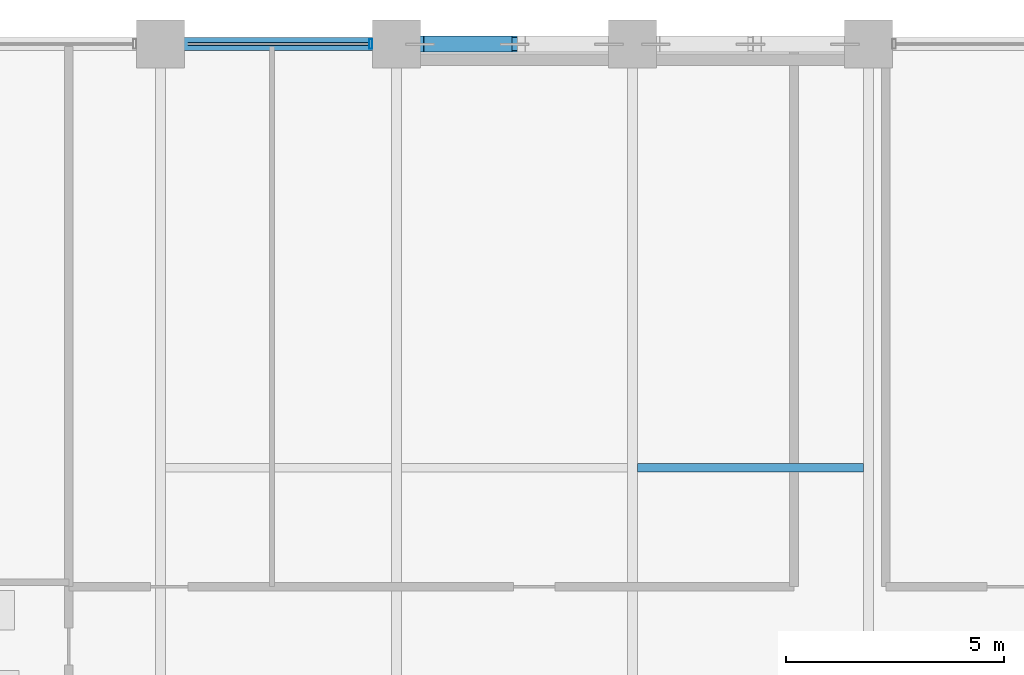
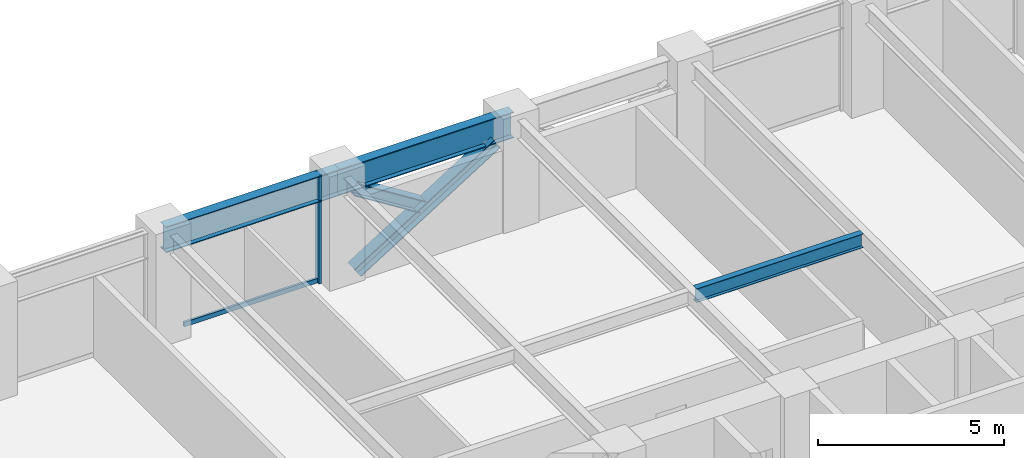
# One storey, part 14 of 26: 4 members, 3 beams, 1 element without a shape of its own.
"""IFC4 building model written with IfcOpenShell, lengths in metres."""

from ifc_helpers import new_model, si_unit, direction, frame, origin, origin_2d, place, context, subcontext, project, spatial, hollow_rectangle, i_section, extrude, material, layer, layer_set, material_profile, profile_set, type_object, element, aggregate, save


model = new_model("IFC4")

# Units and contexts
model_context = context("Model", 3, precision=1e-05, world=origin(), true_north=direction((0.0, 1.0)))
body_context = subcontext(model_context, "Body", "Model", "MODEL_VIEW")
ifc_project = project(units=[si_unit("LENGTHUNIT", "METRE"), si_unit("AREAUNIT", "SQUARE_METRE"), si_unit("VOLUMEUNIT", "CUBIC_METRE"), si_unit("PLANEANGLEUNIT", "RADIAN"), si_unit("MASSUNIT", "GRAM", prefix="KILO")], contexts=[model_context])

# Site, building, storey
site_placement = place(None, origin())
site = spatial("IfcSite", under=ifc_project, at=site_placement, CompositionType="ELEMENT")
building_placement = place(site_placement, origin())
building = spatial("IfcBuilding", under=site, at=building_placement, Name="Surkhivell Harbour Commons", CompositionType="ELEMENT")
storey_placement = place(building_placement, frame((0.0, 0.0, 102.0)))
storey = spatial("IfcBuildingStorey", under=building, at=storey_placement, Name="L26", CompositionType="ELEMENT", Elevation=102.0)

# Beams
ifc_material_1 = material(Name="Steel S355", Category="steel")
ifc_material_profile_1 = material_profile(ifc_material_1, i_section(OverallWidth=0.18994140625, OverallDepth=0.45703125, WebThickness=0.009033203125, FlangeThickness=0.014404296875, at=origin_2d()), Name="UB457x191x74")
ifc_profile_set_1 = profile_set([ifc_material_profile_1], Name="Steel S355")
beam_type_1 = type_object("IfcBeamType", Name="BM-JST-457B", PredefinedType="JOIST", material=ifc_profile_set_1)
beam_1_placement = place(storey_placement, frame((0.113037109375, 16.199951171875, 3.341552734375), z_axis=(1.0, 0.0, 0.0), x_axis=(0.0, 1.0, 0.0)))
element("IfcBeam", 1, at=beam_1_placement, inside=storey, type_object=beam_type_1, Name="L26 North Composite Joist (0.0)", PredefinedType="JOIST", context=body_context, shape_type="SweptSolid", body=[
    extrude(i_section(OverallWidth=0.18994140625, OverallDepth=0.45703125, WebThickness=0.009033203125, FlangeThickness=0.014404296875, at=origin_2d()), origin(), (0.0, 0.0, 1.0), 5.174072265625),
])
ifc_material_2 = material(Name="Steel S460", Category="steel")
ifc_material_profile_2 = material_profile(ifc_material_2, i_section(OverallWidth=0.2939453125, OverallDepth=0.85107421875, WebThickness=0.01611328125, FlangeThickness=0.02685546875, at=origin_2d()), Name="UB838x292x226")
ifc_profile_set_2 = profile_set([ifc_material_profile_2], Name="Steel S460")
beam_type_2 = type_object("IfcBeamType", Name="BM-SPN-838", PredefinedType="SPANDREL", material=ifc_profile_set_2)
beam_2_placement = place(storey_placement, frame((-10.800048828125, 25.89990234375, 3.14453125), z_axis=(1.0, 0.0, 0.0), x_axis=(0.0, 1.0, 0.0)))
element("IfcBeam", 2, at=beam_2_placement, inside=storey, type_object=beam_type_2, Name="L26 Tube Spandrel (-10.8,25.9)", PredefinedType="SPANDREL", context=body_context, shape_type="SweptSolid", body=[
    extrude(i_section(OverallWidth=0.2939453125, OverallDepth=0.85107421875, WebThickness=0.01611328125, FlangeThickness=0.02685546875, at=origin_2d()), origin(), (0.0, 0.0, 1.0), 5.400146484375),
])
beam_3_placement = place(storey_placement, frame((-5.39990234375, 25.89990234375, 3.14453125), z_axis=(1.0, 0.0, 0.0), x_axis=(0.0, 1.0, 0.0)))
element("IfcBeam", 3, at=beam_3_placement, inside=storey, type_object=beam_type_2, Name="L26 Tube Spandrel (-5.4,25.9)", PredefinedType="SPANDREL", context=body_context, shape_type="SweptSolid", body=[
    extrude(i_section(OverallWidth=0.2939453125, OverallDepth=0.85107421875, WebThickness=0.01611328125, FlangeThickness=0.02685546875, at=origin_2d()), origin(), (0.0, 0.0, 1.0), 5.39990234375),
])

# Curtain wall, members
ifc_material_3 = material(Name="Anodised pale-metal aluminium and insulated glazing", Category="aluminium")
ifc_layer = layer(ifc_material_3, 0.205078125)
ifc_layer_set = layer_set([ifc_layer], Name="Anodised pale-metal aluminium and insulated glazing")
curtain_wall_type = type_object("IfcCurtainWallType", Name="CW-SYS-Z2", PredefinedType="NOTDEFINED", material=ifc_layer_set)
curtain_wall_placement = place(storey_placement, origin())
curtain_wall = element("IfcCurtainWall", 4, at=curtain_wall_placement, inside=storey, type_object=curtain_wall_type, Name="L26 Curtain Wall CW-L26-E07S2", PredefinedType="NOTDEFINED")
ifc_material_4 = material(Name="Anodised pale-metal aluminium alloy 6063-T6", Category="aluminium")
ifc_material_profile_3 = material_profile(ifc_material_4, hollow_rectangle(XDim=0.074951171875, YDim=0.219970703125, WallThickness=0.00390625, at=origin_2d()), Name="ALU-MULL-75x220")
ifc_profile_set_3 = profile_set([ifc_material_profile_3], Name="Anodised pale-metal aluminium alloy 6063-T6")
member_type_1 = type_object("IfcMemberType", Name="CWM-220", PredefinedType="MULLION", material=ifc_profile_set_3)
member_1_placement = place(storey_placement, frame((-5.989501953125, 25.89990234375, 0.0), z_axis=(0.0, 0.0, 1.0), x_axis=(-1.0, 0.0, 0.0)))
member_1 = element("IfcMember", 5, at=member_1_placement, type_object=member_type_1, Name="CW-Z2 mullion 1", PredefinedType="MULLION", context=body_context, shape_type="SweptSolid", body=[
    extrude(hollow_rectangle(XDim=0.074951171875, YDim=0.219970703125, WallThickness=0.00390625, at=origin_2d()), origin(), (0.0, 0.0, 1.0), 3.570068359375),
])
ifc_material_profile_4 = material_profile(ifc_material_4, hollow_rectangle(XDim=0.074951171875, YDim=0.14990234375, WallThickness=0.00341796875, at=origin_2d()), Name="ALU-TRAN-75x150")
ifc_profile_set_4 = profile_set([ifc_material_profile_4], Name="Anodised pale-metal aluminium alloy 6063-T6")
member_type_2 = type_object("IfcMemberType", Name="CWT-150", PredefinedType="USERDEFINED", material=ifc_profile_set_4)
member_2_placement = place(storey_placement, frame((-6.027099609375, 25.89990234375, 0.074951171875), z_axis=(-1.0, 0.0, 0.0), x_axis=(0.0, -1.0, 0.0)))
member_2 = element("IfcMember", 6, at=member_2_placement, type_object=member_type_2, Name="CW-Z2 transom 1.1", ObjectType="TRANSOM", PredefinedType="USERDEFINED", context=body_context, shape_type="SweptSolid", body=[
    extrude(hollow_rectangle(XDim=0.074951171875, YDim=0.14990234375, WallThickness=0.00341796875, at=origin_2d()), origin(), (0.0, 0.0, 1.0), 4.14599609375),
])
aggregate(curtain_wall, [member_1, member_2])

# Members
ifc_material_profile_5 = material_profile(ifc_material_2, i_section(OverallWidth=0.375, OverallDepth=0.375, WebThickness=0.0166015625, FlangeThickness=0.027099609375, at=origin_2d()), Name="UC356x368x202")
ifc_profile_set_5 = profile_set([ifc_material_profile_5], Name="Steel S460")
member_type_3 = type_object("IfcMemberType", Name="MEM-BRC-UC356", PredefinedType="BRACE", material=ifc_profile_set_5)
member_3_placement = place(storey_placement, frame((-4.864990234375, 25.89990234375, 0.008056640625), z_axis=(0.847246015888, 0.0, 0.531200704594), x_axis=(0.0, 1.0, 0.0)))
element("IfcMember", 7, at=member_3_placement, inside=storey, type_object=member_type_3, Name="L26 Perimeter Mega-Brace MB- 01", PredefinedType="BRACE", context=body_context, shape_type="SweptSolid", body=[
    extrude(i_section(OverallWidth=0.375, OverallDepth=0.375, WebThickness=0.0166015625, FlangeThickness=0.027099609375, at=origin_2d()), origin(), (0.0, 0.0, 1.0), 5.11083984375),
])
member_4_placement = place(storey_placement, frame((-2.8525390625, 25.89990234375, 1.461181640625), z_axis=(-0.84725256761, 0.0, 0.53119025469), x_axis=(0.0, -1.0, 0.0)))
element("IfcMember", 8, at=member_4_placement, inside=storey, type_object=member_type_3, Name="L26 Perimeter Mega-Brace MB- 03", PredefinedType="BRACE", context=body_context, shape_type="SweptSolid", body=[
    extrude(i_section(OverallWidth=0.375, OverallDepth=0.375, WebThickness=0.0166015625, FlangeThickness=0.027099609375, at=origin_2d()), origin(), (0.0, 0.0, 1.0), 2.375244140625),
])

save(model, "model.ifc")
